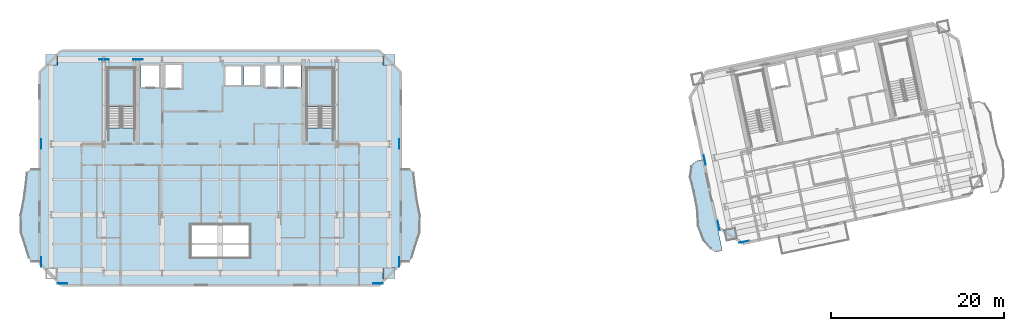
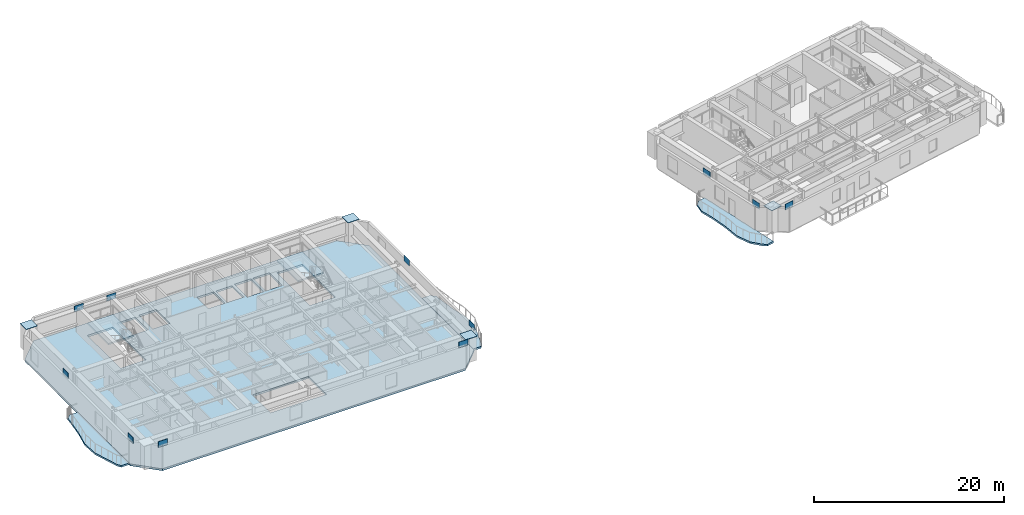
# One storey, part 5 of 16: 15 plates, 6 slabs, 2 elements without a shape of their own.
"""IFC4 building model written with IfcOpenShell, lengths in metres."""

from ifc_helpers import new_model, si_unit, direction, frame, origin, origin_2d, place, context, subcontext, project, spatial, polyline, rectangle, outline, extrude, material, layer, layer_set, type_object, element, aggregate, save


model = new_model("IFC4")

# Units and contexts
model_context = context("Model", 3, precision=1e-05, world=origin(), true_north=direction((0.0, 1.0)))
body_context = subcontext(model_context, "Body", "Model", "MODEL_VIEW")
ifc_project = project(units=[si_unit("LENGTHUNIT", "METRE"), si_unit("AREAUNIT", "SQUARE_METRE"), si_unit("VOLUMEUNIT", "CUBIC_METRE"), si_unit("PLANEANGLEUNIT", "RADIAN"), si_unit("MASSUNIT", "GRAM", prefix="KILO")], contexts=[model_context])

# Site, building, storey
site_placement = place(None, origin())
site = spatial("IfcSite", under=ifc_project, at=site_placement, CompositionType="ELEMENT")
building_placement = place(site_placement, origin())
building = spatial("IfcBuilding", under=site, at=building_placement, Name="Haevon Station Towers", CompositionType="ELEMENT")
storey_placement = place(building_placement, frame((0.0, 0.0, 172.5)))
storey = spatial("IfcBuildingStorey", under=building, at=storey_placement, Name="L47", CompositionType="ELEMENT", Elevation=172.5)

# Plates
ifc_material_1 = material(Name="PL-FLG1", Category="steel")
ifc_layer_1 = layer(ifc_material_1, 0.044921875)
ifc_layer_set_1 = layer_set([ifc_layer_1], Name="PL-FLG1")
plate_type_1 = type_object("IfcPlateType", Name="PL-FLG1", PredefinedType="USERDEFINED", material=ifc_layer_set_1)
for number, where, z_axis, x_axis, name in (
    (1, (17.925048828125, 48.0, 3.050048828125), (0.0, 0.0, 1.0), (1.0, 0.0, 0.0), "PL-CAP-T1-L47-01-04"),
    (2, (57.074951171875, 23.199951171875, 3.050048828125), (0.0, 0.0, 1.0), (1.0, 0.0, 0.0), "PL-CAP-T1-L47-07-01"),
    (3, (57.074951171875, 48.0, 3.050048828125), (0.0, 0.0, 1.0), (1.0, 0.0, 0.0), "PL-CAP-T1-L47-07-04"),
    (4, (96.674560546875, 27.73828125, 3.050048828125), (0.0, 0.0, 1.0), (0.978147600734, 0.207911690818, 0.0), "PL-CAP-T2-L47-01-01"),
):
    element("IfcPlate", number, at=place(storey_placement, frame(where, z_axis=z_axis, x_axis=x_axis)), inside=storey, type_object=plate_type_1, Name=name, ObjectType="FLANGE_PLATE", PredefinedType="USERDEFINED", context=body_context, shape_type="SweptSolid", body=[
        extrude(rectangle(XDim=1.389892578125, YDim=1.2900390625, at=origin_2d()), origin(), (0.0, 0.0, 1.0), 0.0400390625),
    ])
ifc_material_2 = material(Name="PL-SPL1", Category="steel")
ifc_layer_2 = layer(ifc_material_2, 0.031982421875)
ifc_layer_set_2 = layer_set([ifc_layer_2], Name="PL-SPL1")
plate_type_2 = type_object("IfcPlateType", Name="PL-SPL1", PredefinedType="USERDEFINED", material=ifc_layer_set_2)
for number, where, z_axis, x_axis, name in (
    (5, (19.22509765625, 22.030029296875, 2.77490234375), (0.0, 0.0, 1.0), (1.0, 0.0, 0.0), "PL-T1SPL-T06-S-3"),
    (6, (55.77490234375, 22.030029296875, 2.77490234375), (0.0, 0.0, 1.0), (1.0, 0.0, 0.0), "PL-T1SPL-T06-S-4"),
    (7, (24.0, 48.0, 2.77490234375), (0.0, 0.0, 1.0), (1.0, 0.0, 0.0), "PL-T1SPL-T06-N-3"),
    (8, (27.949951171875, 48.0, 2.77490234375), (0.0, 0.0, 1.0), (1.0, 0.0, 0.0), "PL-T1SPL-T06-N-4"),
    (9, (16.7548828125, 24.5, 2.77490234375), (0.0, 0.0, 1.0), (0.0, 1.0, 0.0), "PL-T1SPL-T06-W-3"),
    (10, (16.7548828125, 38.199951171875, 2.77490234375), (0.0, 0.0, 1.0), (0.0, 1.0, 0.0), "PL-T1SPL-T06-W-4"),
    (11, (58.2451171875, 24.5, 2.77490234375), (0.0, 0.0, 1.0), (0.0, 1.0, 0.0), "PL-T1SPL-T06-E-3"),
    (12, (58.2451171875, 38.199951171875, 2.77490234375), (0.0, 0.0, 1.0), (0.0, 1.0, 0.0), "PL-T1SPL-T06-E-4"),
    (13, (98.189453125, 26.8642578125, 2.77490234375), (0.0, 0.0, 1.0), (0.978147600734, 0.207911690818, 0.0), "PL-T2SPL-T06-S-3"),
    (14, (95.259765625, 28.7666015625, 2.77490234375), (0.0, 0.0, 1.0), (-0.207911690818, 0.978147600734, 0.0), "PL-T2SPL-T06-W-3"),
    (15, (93.646484375, 36.357177734375, 2.77490234375), (0.0, 0.0, 1.0), (-0.207911690818, 0.978147600734, 0.0), "PL-T2SPL-T06-W-4"),
):
    element("IfcPlate", number, at=place(storey_placement, frame(where, z_axis=z_axis, x_axis=x_axis)), inside=storey, type_object=plate_type_2, Name=name, ObjectType="SPLICE_PLATE", PredefinedType="USERDEFINED", context=body_context, shape_type="SweptSolid", body=[
        extrude(rectangle(XDim=1.10009765625, YDim=0.031982421875, at=origin_2d()), origin(), (0.0, 0.0, 1.0), 0.75),
    ])

# Slabs
ifc_material_3 = material(Name="Concrete C40/50", Category="concrete")
ifc_layer_3 = layer(ifc_material_3, 0.219970703125)
ifc_layer_set_3 = layer_set([ifc_layer_3], Name="Concrete C40/50")
slab_type_1 = type_object("IfcSlabType", Name="SL-BALC220", PredefinedType="FLOOR", material=ifc_layer_set_3)
slab_1_placement = place(storey_placement, frame((0.0, 0.0, -0.219970703125)))
element("IfcSlab", 16, at=slab_1_placement, inside=storey, type_object=slab_type_1, Name="Tower 1 L47 West SCALLOPED BALCONY", PredefinedType="FLOOR", context=body_context, shape_type="SweptSolid", body=[
    extrude(outline(polyline([(16.570068359375, 35.324951171875), (15.612548828125, 35.324951171875), (15.106689453125, 34.9140625), (14.9755859375, 33.743408203125), (14.734130859375, 31.991455078125), (14.29052734375, 29.925048828125), (14.39111328125, 27.8583984375), (14.9755859375, 26.106689453125), (15.337158203125, 24.93603515625), (15.612548828125, 24.52490234375), (16.570068359375, 24.52490234375), (16.570068359375, 35.324951171875)])), origin(), (0.0, 0.0, 1.0), 0.219970703125),
])
slab_2_placement = place(storey_placement, frame((0.0, 0.0, -0.219970703125)))
element("IfcSlab", 17, at=slab_2_placement, inside=storey, type_object=slab_type_1, Name="Tower 1 L47 East SCALLOPED BALCONY", PredefinedType="FLOOR", context=body_context, shape_type="SweptSolid", body=[
    extrude(outline(polyline([(58.429931640625, 24.52490234375), (59.387451171875, 24.52490234375), (59.662841796875, 24.93603515625), (60.0244140625, 26.106689453125), (60.60888671875, 27.8583984375), (60.70947265625, 29.925048828125), (60.265869140625, 31.991455078125), (60.0244140625, 33.743408203125), (59.893310546875, 34.9140625), (59.387451171875, 35.324951171875), (58.429931640625, 35.324951171875), (58.429931640625, 24.52490234375)])), origin(), (0.0, 0.0, 1.0), 0.219970703125),
])
slab_3_placement = place(storey_placement, frame((0.0, 0.0, -0.219970703125)))
element("IfcSlab", 18, at=slab_3_placement, inside=storey, type_object=slab_type_1, Name="Tower 2 L47 West SCALLOPED BALCONY", PredefinedType="FLOOR", context=body_context, shape_type="SweptSolid", body=[
    extrude(outline(polyline([(93.44580078125, 36.41162109375), (92.6142578125, 36.23486328125), (92.099853515625, 35.705322265625), (91.923583984375, 34.47119140625), (92.343017578125, 32.769287109375), (92.68994140625, 30.730224609375), (92.866943359375, 28.6552734375), (93.511474609375, 27.001220703125), (94.399658203125, 25.993408203125), (94.859619140625, 25.6708984375), (95.691162109375, 25.84765625), (93.44580078125, 36.41162109375)])), origin(), (0.0, 0.0, 1.0), 0.219970703125),
])

# Stair, slab
stair_type = type_object("IfcStairType", Name="STR-DL1450", PredefinedType="USERDEFINED", material=ifc_material_3)
stair_1_placement = place(storey_placement, origin())
stair_1 = element("IfcStair", 19, at=stair_1_placement, inside=storey, type_object=stair_type, Name="L47 Escape Stair ST1", ObjectType="TWO_RETURN_STAIR", PredefinedType="USERDEFINED")
ifc_layer_4 = layer(ifc_material_3, 0.199951171875)
ifc_layer_set_4 = layer_set([ifc_layer_4], Name="Concrete C40/50")
slab_type_2 = type_object("IfcSlabType", Name="SL-LND200", PredefinedType="LANDING", material=ifc_layer_set_4)
slab_4_placement = place(storey_placement, frame((0.0, 0.0, 1.449951171875)))
slab_4 = element("IfcSlab", 20, at=slab_4_placement, type_object=slab_type_2, Name="L47 ST1 Half Landing 1", PredefinedType="LANDING", context=body_context, shape_type="SweptSolid", body=[
    extrude(outline(polyline([(27.580078125, 42.56396484375), (27.580078125, 47.0), (24.47998046875, 47.0), (24.47998046875, 42.56396484375), (27.580078125, 42.56396484375)])), origin(), (0.0, 0.0, 1.0), 0.199951171875),
])
aggregate(stair_1, [slab_4])

stair_2_placement = place(storey_placement, origin())
stair_2 = element("IfcStair", 21, at=stair_2_placement, inside=storey, type_object=stair_type, Name="L47 Escape Stair ST2", ObjectType="TWO_RETURN_STAIR", PredefinedType="USERDEFINED")
slab_5_placement = place(storey_placement, frame((0.0, 0.0, 1.449951171875)))
slab_5 = element("IfcSlab", 22, at=slab_5_placement, type_object=slab_type_2, Name="L47 ST2 Half Landing 1", PredefinedType="LANDING", context=body_context, shape_type="SweptSolid", body=[
    extrude(outline(polyline([(50.6201171875, 42.56396484375), (50.6201171875, 47.0), (47.52001953125, 47.0), (47.52001953125, 42.56396484375), (50.6201171875, 42.56396484375)])), origin(), (0.0, 0.0, 1.0), 0.199951171875),
])
aggregate(stair_2, [slab_5])

# Slab
ifc_layer_5 = layer(ifc_material_3, 0.25)
ifc_layer_set_5 = layer_set([ifc_layer_5], Name="Concrete C40/50")
slab_type_3 = type_object("IfcSlabType", Name="SL-TW250", PredefinedType="FLOOR", material=ifc_layer_set_5)
slab_6_placement = place(storey_placement, frame((0.0, 0.0, -0.25)))
element("IfcSlab", 23, at=slab_6_placement, inside=storey, type_object=slab_type_3, Name="SL-T1-L47", PredefinedType="FLOOR", context=body_context, shape_type="SweptSolid", body=[
    extrude(outline(polyline([(19.074951171875, 21.85009765625), (55.925048828125, 21.85009765625), (58.425048828125, 24.35009765625), (58.425048828125, 46.5), (55.925048828125, 49.0), (19.074951171875, 49.0), (16.574951171875, 46.5), (16.574951171875, 24.35009765625), (19.074951171875, 21.85009765625)]), holes=[polyline([(27.580078125, 40.055908203125), (27.580078125, 47.0), (24.47998046875, 47.0), (24.47998046875, 40.055908203125), (27.580078125, 40.055908203125)]), polyline([(50.6201171875, 40.055908203125), (50.6201171875, 47.0), (47.52001953125, 47.0), (47.52001953125, 40.055908203125), (50.6201171875, 40.055908203125)]), polyline([(28.300048828125, 44.699951171875), (30.5, 44.699951171875), (30.5, 47.39990234375), (28.300048828125, 47.39990234375), (28.300048828125, 44.699951171875)]), polyline([(31.050048828125, 44.60009765625), (33.14990234375, 44.60009765625), (33.14990234375, 47.5), (31.050048828125, 47.5), (31.050048828125, 44.60009765625)]), polyline([(38.0, 44.89990234375), (40.0, 44.89990234375), (40.0, 47.300048828125), (38.0, 47.300048828125), (38.0, 44.89990234375)]), polyline([(40.25, 44.89990234375), (42.25, 44.89990234375), (42.25, 47.300048828125), (40.25, 47.300048828125), (40.25, 44.89990234375)]), polyline([(42.60009765625, 44.699951171875), (44.60009765625, 44.699951171875), (44.60009765625, 47.39990234375), (42.60009765625, 47.39990234375), (42.60009765625, 44.699951171875)]), polyline([(44.85009765625, 44.699951171875), (46.85009765625, 44.699951171875), (46.85009765625, 47.39990234375), (44.85009765625, 47.39990234375), (44.85009765625, 44.699951171875)]), polyline([(34.10009765625, 25.050048828125), (40.89990234375, 25.050048828125), (40.89990234375, 28.85009765625), (34.10009765625, 28.85009765625), (34.10009765625, 25.050048828125)])]), origin(), (0.0, 0.0, 1.0), 0.25),
])

save(model, "model.ifc")
